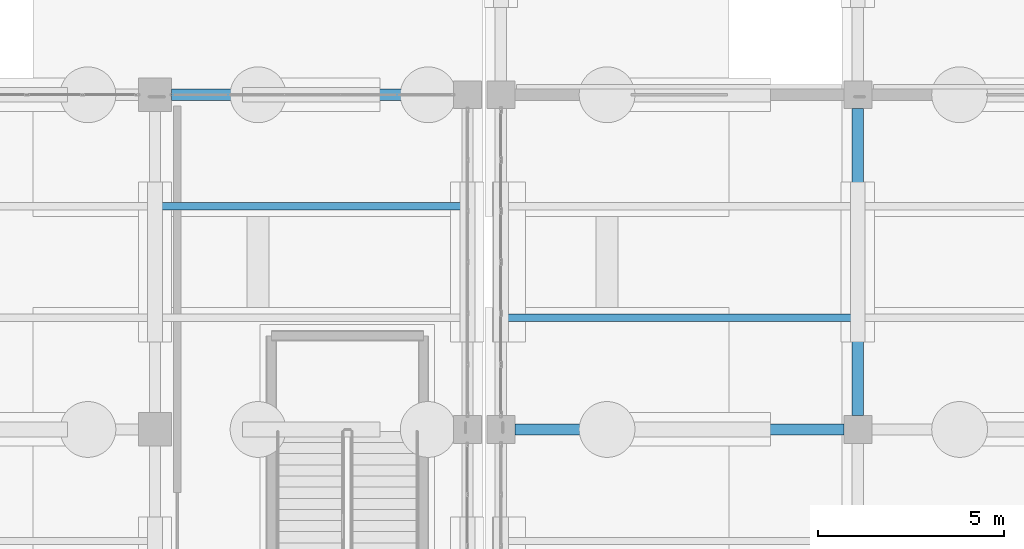
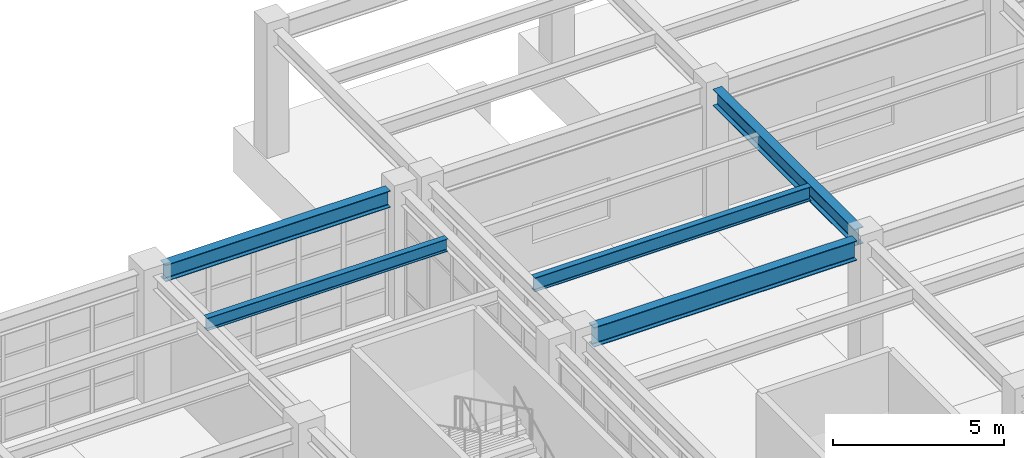
# One storey, part 81 of 139: 5 beams.
"""IFC4 building model written with IfcOpenShell, lengths in metres."""

from ifc_helpers import new_model, si_unit, direction, frame, origin, origin_2d, place, context, subcontext, project, spatial, i_section, extrude, material, material_profile, profile_set, type_object, element, save


model = new_model("IFC4")

# Units and contexts
model_context = context("Model", 3, precision=1e-05, world=origin(), true_north=direction((0.0, 1.0)))
body_context = subcontext(model_context, "Body", "Model", "MODEL_VIEW")
ifc_project = project(units=[si_unit("LENGTHUNIT", "METRE"), si_unit("AREAUNIT", "SQUARE_METRE"), si_unit("VOLUMEUNIT", "CUBIC_METRE"), si_unit("PLANEANGLEUNIT", "RADIAN"), si_unit("MASSUNIT", "GRAM", prefix="KILO")], contexts=[model_context])

# Site, building, storey
site_placement = place(None, origin())
site = spatial("IfcSite", under=ifc_project, at=site_placement, CompositionType="ELEMENT")
building_placement = place(site_placement, origin())
building = spatial("IfcBuilding", under=site, at=building_placement, Name="Canglan Escarpment Cableway Terminal", CompositionType="ELEMENT")
storey_placement = place(building_placement, frame((0.0, 0.0, 14.39990234375)))
storey = spatial("IfcBuildingStorey", under=building, at=storey_placement, Name="L03", CompositionType="ELEMENT", Elevation=14.39990234375)

# Beams
ifc_material_1 = material(Name="Steel Q355C", Category="steel")
ifc_material_profile_1 = material_profile(ifc_material_1, i_section(OverallWidth=0.302001953125, OverallDepth=0.593994140625, WebThickness=0.013916015625, FlangeThickness=0.02294921875, FilletRadius=0.028076171875, at=origin_2d()), Name="HM 594x302x14x23")
ifc_profile_set_1 = profile_set([ifc_material_profile_1], Name="Steel Q355C")
beam_type_1 = type_object("IfcBeamType", Name="BM-HM594", PredefinedType="BEAM", material=ifc_profile_set_1)
beam_1_placement = place(storey_placement, frame((128.75, 115.0, 4.203125), z_axis=(1.0, 0.0, 0.0), x_axis=(0.0, 1.0, 0.0)))
element("IfcBeam", 1, at=beam_1_placement, inside=storey, type_object=beam_type_1, Name="Primary structural girder B-07", PredefinedType="BEAM", context=body_context, shape_type="SweptSolid", body=[
    extrude(i_section(OverallWidth=0.302001953125, OverallDepth=0.593994140625, WebThickness=0.013916015625, FlangeThickness=0.02294921875, FilletRadius=0.028076171875, at=origin_2d()), origin(), (0.0, 0.0, 1.0), 7.574951171875),
])
beam_2_placement = place(storey_placement, frame((147.199951171875, 106.375, 4.203125), z_axis=(0.0, 1.0, 0.0), x_axis=(-1.0, 0.0, 0.0)))
element("IfcBeam", 2, at=beam_2_placement, inside=storey, type_object=beam_type_1, Name="Primary transverse girder B-07", PredefinedType="BEAM", context=body_context, shape_type="SweptSolid", body=[
    extrude(i_section(OverallWidth=0.302001953125, OverallDepth=0.593994140625, WebThickness=0.013916015625, FlangeThickness=0.02294921875, FilletRadius=0.028076171875, at=origin_2d()), origin(), (0.0, 0.0, 1.0), 8.25),
])
ifc_material_profile_2 = material_profile(ifc_material_1, i_section(OverallWidth=0.300048828125, OverallDepth=0.699951171875, WebThickness=0.012939453125, FlangeThickness=0.02392578125, FilletRadius=0.028076171875, at=origin_2d()), Name="HN 700x300x13x24")
ifc_profile_set_2 = profile_set([ifc_material_profile_2], Name="Steel Q355C")
beam_type_2 = type_object("IfcBeamType", Name="BM-HN700", PredefinedType="BEAM", material=ifc_profile_set_2)
beam_3_placement = place(storey_placement, frame((137.97509765625, 106.0, 4.150146484375), z_axis=(1.0, 0.0, 0.0), x_axis=(0.0, 1.0, 0.0)))
element("IfcBeam", 3, at=beam_3_placement, inside=storey, type_object=beam_type_2, Name="Primary structural girder B-06", PredefinedType="BEAM", context=body_context, shape_type="SweptSolid", body=[
    extrude(i_section(OverallWidth=0.300048828125, OverallDepth=0.699951171875, WebThickness=0.012939453125, FlangeThickness=0.02392578125, FilletRadius=0.028076171875, at=origin_2d()), origin(), (0.0, 0.0, 1.0), 8.849853515625),
])
ifc_material_2 = material(Name="Steel Q355B", Category="steel")
ifc_material_profile_3 = material_profile(ifc_material_2, i_section(OverallWidth=0.199951171875, OverallDepth=0.449951171875, WebThickness=0.009033203125, FlangeThickness=0.013916015625, FilletRadius=0.01806640625, at=origin_2d()), Name="HN 450x200x9x14")
ifc_profile_set_3 = profile_set([ifc_material_profile_3], Name="Steel Q355B")
beam_type_3 = type_object("IfcBeamType", Name="JS-HN450", PredefinedType="JOIST", material=ifc_profile_set_3)
beam_4_placement = place(storey_placement, frame((128.449951171875, 112.0, 4.275146484375), z_axis=(1.0, 0.0, 0.0), x_axis=(0.0, 1.0, 0.0)))
element("IfcBeam", 4, at=beam_4_placement, inside=storey, type_object=beam_type_3, Name="Secondary composite deck joist J-02", PredefinedType="JOIST", context=body_context, shape_type="SweptSolid", body=[
    extrude(i_section(OverallWidth=0.199951171875, OverallDepth=0.449951171875, WebThickness=0.009033203125, FlangeThickness=0.013916015625, FilletRadius=0.01806640625, at=origin_2d()), origin(), (0.0, 0.0, 1.0), 8.10009765625),
])
ifc_material_profile_4 = material_profile(ifc_material_2, i_section(OverallWidth=0.199951171875, OverallDepth=0.5, WebThickness=0.010009765625, FlangeThickness=0.01611328125, FilletRadius=0.02001953125, at=origin_2d()), Name="HN 500x200x10x16")
ifc_profile_set_4 = profile_set([ifc_material_profile_4], Name="Steel Q355B")
beam_type_4 = type_object("IfcBeamType", Name="JS-HN500", PredefinedType="JOIST", material=ifc_profile_set_4)
beam_5_placement = place(storey_placement, frame((137.7509765625, 109.0, 4.25), z_axis=(1.0, 0.0, 0.0), x_axis=(0.0, 1.0, 0.0)))
element("IfcBeam", 5, at=beam_5_placement, inside=storey, type_object=beam_type_4, Name="Secondary composite deck joist J-01", PredefinedType="JOIST", context=body_context, shape_type="SweptSolid", body=[
    extrude(i_section(OverallWidth=0.199951171875, OverallDepth=0.5, WebThickness=0.010009765625, FlangeThickness=0.01611328125, FilletRadius=0.02001953125, at=origin_2d()), origin(), (0.0, 0.0, 1.0), 9.298095703125),
])

save(model, "model.ifc")
